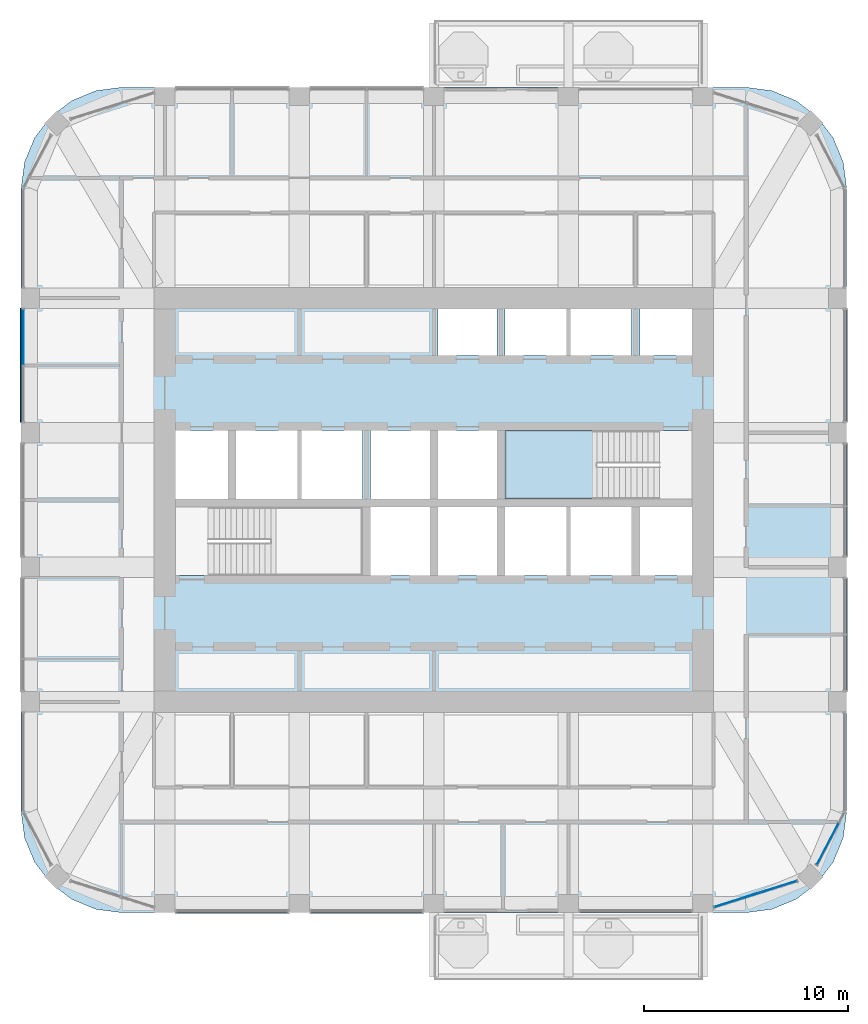
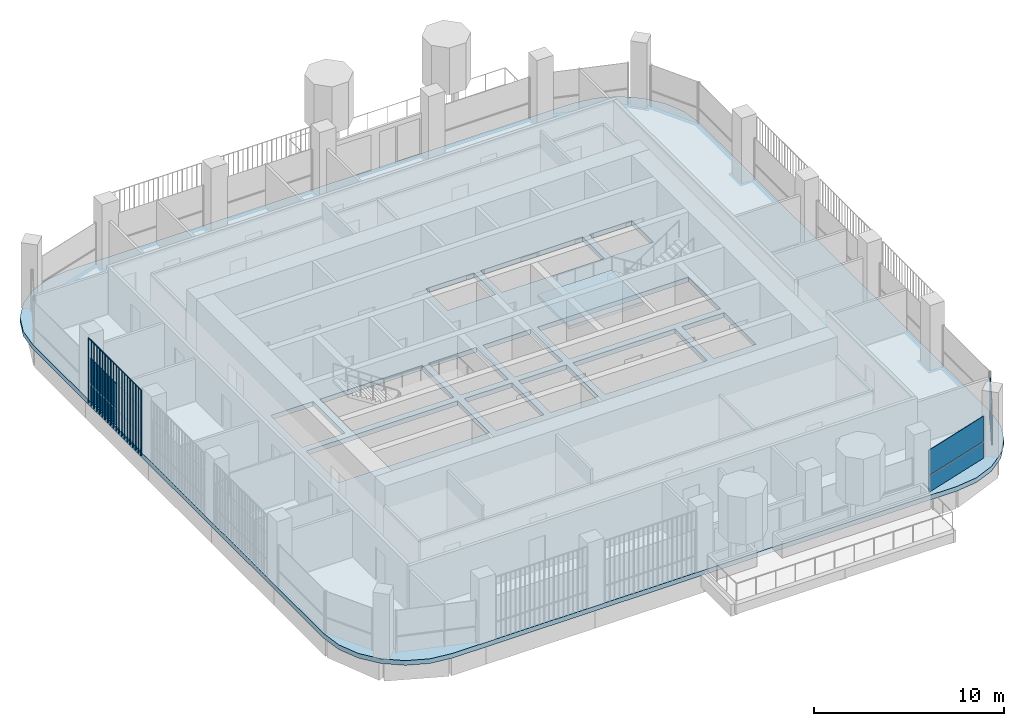
# One storey, part 10 of 21: 7 plates, 2 slabs, 4 elements without a shape of their own.
"""IFC4 building model written with IfcOpenShell, lengths in metres."""

from ifc_helpers import new_model, si_unit, direction, frame, origin, origin_2d, place, context, subcontext, project, spatial, polyline, rectangle, outline, extrude, material, layer, layer_set, type_object, element, aggregate, save


model = new_model("IFC4")

# Units and contexts
model_context = context("Model", 3, precision=1e-05, world=origin(), true_north=direction((0.0, 1.0)))
body_context = subcontext(model_context, "Body", "Model", "MODEL_VIEW")
ifc_project = project(units=[si_unit("LENGTHUNIT", "METRE"), si_unit("AREAUNIT", "SQUARE_METRE"), si_unit("VOLUMEUNIT", "CUBIC_METRE"), si_unit("PLANEANGLEUNIT", "RADIAN"), si_unit("MASSUNIT", "GRAM", prefix="KILO")], contexts=[model_context])

# Site, building, storey
site_placement = place(None, origin())
site = spatial("IfcSite", under=ifc_project, at=site_placement, CompositionType="ELEMENT")
building_placement = place(site_placement, origin())
building = spatial("IfcBuilding", under=site, at=building_placement, Name="Cobogo Forest Laboratory Tower", CompositionType="ELEMENT")
storey_placement = place(building_placement, frame((0.0, 0.0, 267.0)))
storey = spatial("IfcBuildingStorey", under=building, at=storey_placement, Name="L61", CompositionType="ELEMENT", Elevation=267.0)

# Slab
ifc_material_1 = material(Name="Concrete HA-40 (C40/50)", Category="concrete")
ifc_layer_1 = layer(ifc_material_1, 0.300048828125)
ifc_layer_set_1 = layer_set([ifc_layer_1], Name="Floor slab 300")
slab_type_1 = type_object("IfcSlabType", Name="Floor slab 300", PredefinedType="FLOOR", material=ifc_layer_set_1)
slab_1_placement = place(storey_placement, frame((0.0, 0.0, -0.300048828125)))
element("IfcSlab", 1, at=slab_1_placement, inside=storey, type_object=slab_type_1, Name="L61 floor slab", PredefinedType="FLOOR", context=body_context, shape_type="SweptSolid", body=[
    extrude(outline(polyline([(41.699951171875, 2.85009765625), (42.981201171875, 3.0185546875), (44.175048828125, 3.51318359375), (45.2001953125, 4.2998046875), (45.98681640625, 5.324951171875), (46.4814453125, 6.518798828125), (46.64990234375, 7.800048828125), (46.64990234375, 38.39990234375), (46.4814453125, 39.68115234375), (45.98681640625, 40.875), (45.2001953125, 41.900146484375), (44.175048828125, 42.686767578125), (42.981201171875, 43.181396484375), (41.699951171875, 43.35009765625), (11.10009765625, 43.35009765625), (9.81884765625, 43.181396484375), (8.625, 42.686767578125), (7.599853515625, 41.900146484375), (6.813232421875, 40.875), (6.318603515625, 39.68115234375), (6.14990234375, 38.39990234375), (6.14990234375, 7.800048828125), (6.318603515625, 6.518798828125), (6.813232421875, 5.324951171875), (7.599853515625, 4.2998046875), (8.625, 3.51318359375), (9.81884765625, 3.0185546875), (11.10009765625, 2.85009765625), (41.699951171875, 2.85009765625)]), holes=[polyline([(22.89990234375, 19.39990234375), (13.72509765625, 19.39990234375), (13.72509765625, 22.75), (22.89990234375, 22.75), (22.89990234375, 19.39990234375)]), polyline([(26.199951171875, 19.39990234375), (23.300048828125, 19.39990234375), (23.300048828125, 22.75), (26.199951171875, 22.75), (26.199951171875, 19.39990234375)]), polyline([(29.5, 19.39990234375), (26.60009765625, 19.39990234375), (26.60009765625, 22.75), (29.5, 22.75), (29.5, 19.39990234375)]), polyline([(36.10009765625, 22.75), (36.10009765625, 19.39990234375), (29.89990234375, 19.39990234375), (29.89990234375, 22.75), (36.10009765625, 22.75)]), polyline([(39.074951171875, 19.39990234375), (36.5, 19.39990234375), (36.5, 22.75), (39.074951171875, 22.75), (39.074951171875, 19.39990234375)]), polyline([(16.300048828125, 23.14990234375), (13.72509765625, 23.14990234375), (13.72509765625, 26.5), (16.300048828125, 26.5), (16.300048828125, 23.14990234375)]), polyline([(22.89990234375, 26.5), (22.89990234375, 23.14990234375), (16.699951171875, 23.14990234375), (16.699951171875, 26.5), (22.89990234375, 26.5)]), polyline([(26.199951171875, 23.14990234375), (23.300048828125, 23.14990234375), (23.300048828125, 26.5), (26.199951171875, 26.5), (26.199951171875, 23.14990234375)]), polyline([(29.5, 23.14990234375), (26.60009765625, 23.14990234375), (26.60009765625, 26.5), (29.5, 26.5), (29.5, 23.14990234375)]), polyline([(39.074951171875, 23.14990234375), (29.89990234375, 23.14990234375), (29.89990234375, 26.5), (39.074951171875, 26.5), (39.074951171875, 23.14990234375)]), polyline([(29.5, 30.199951171875), (26.60009765625, 30.199951171875), (26.60009765625, 32.47509765625), (29.5, 32.47509765625), (29.5, 30.199951171875)]), polyline([(36.10009765625, 32.47509765625), (36.10009765625, 30.199951171875), (29.89990234375, 30.199951171875), (29.89990234375, 32.47509765625), (36.10009765625, 32.47509765625)]), polyline([(39.074951171875, 30.199951171875), (36.5, 30.199951171875), (36.5, 32.47509765625), (39.074951171875, 32.47509765625), (39.074951171875, 30.199951171875)])]), origin(), (0.0, 0.0, 1.0), 0.300048828125),
])

# Curtain wall, plates
ifc_material_2 = material(Name="Aluminium curtain wall", Category="aluminium")
curtain_wall_type = type_object("IfcCurtainWallType", Name="CW-2 unitised curtain wall, solar control glazing, laboratory floors zones C and D", PredefinedType="USERDEFINED", material=ifc_material_2)
curtain_wall_1_placement = place(storey_placement, origin())
curtain_wall_1 = element("IfcCurtainWall", 2, at=curtain_wall_1_placement, inside=storey, type_object=curtain_wall_type, Name="Curtain wall 05 L61", ObjectType="UNITISED CURTAIN WALL", PredefinedType="USERDEFINED")
ifc_material_3 = material(Name="Solar control insulated glass", Category="glass")
ifc_layer_2 = layer(ifc_material_3, 0.031982421875)
ifc_layer_set_2 = layer_set([ifc_layer_2], Name="GP-2 solar control glass unit 32")
plate_type_1 = type_object("IfcPlateType", Name="GP-2 solar control glass unit 32", PredefinedType="CURTAIN_PANEL", material=ifc_layer_set_2)
plate_1_placement = place(storey_placement, frame((42.17919921875, 3.7646484375, 0.0), z_axis=(0.0, 0.0, 1.0), x_axis=(0.953581379409, 0.301135439371, 0.0)))
plate_1 = element("IfcPlate", 3, at=plate_1_placement, type_object=plate_type_1, Name="CW-2 panel 1.1", PredefinedType="CURTAIN_PANEL", context=body_context, shape_type="SweptSolid", body=[
    extrude(rectangle(XDim=4.240966796875, YDim=0.031982421875, at=origin_2d()), origin(), (0.0, 0.0, 1.0), 1.02001953125),
])
plate_2_placement = place(storey_placement, frame((42.17919921875, 3.7646484375, 1.079833984375), z_axis=(0.0, 0.0, 1.0), x_axis=(0.953581379409, 0.301135439371, 0.0)))
plate_2 = element("IfcPlate", 4, at=plate_2_placement, type_object=plate_type_1, Name="CW-2 panel 1.2", PredefinedType="CURTAIN_PANEL", context=body_context, shape_type="SweptSolid", body=[
    extrude(rectangle(XDim=4.240966796875, YDim=0.031982421875, at=origin_2d()), origin(), (0.0, 0.0, 1.0), 1.6201171875),
])
aggregate(curtain_wall_1, [plate_1, plate_2])

curtain_wall_2_placement = place(storey_placement, origin())
curtain_wall_2 = element("IfcCurtainWall", 5, at=curtain_wall_2_placement, inside=storey, type_object=curtain_wall_type, Name="Curtain wall 06 L61", ObjectType="UNITISED CURTAIN WALL", PredefinedType="USERDEFINED")
plate_3_placement = place(storey_placement, frame((45.72314453125, 6.222900390625, 0.0), z_axis=(0.0, 0.0, 1.0), x_axis=(0.464283778337, 0.885686498245, 0.0)))
plate_3 = element("IfcPlate", 6, at=plate_3_placement, type_object=plate_type_1, Name="CW-2 panel 1.1", PredefinedType="CURTAIN_PANEL", context=body_context, shape_type="SweptSolid", body=[
    extrude(rectangle(XDim=2.28857421875, YDim=0.031982421875, at=origin_2d()), origin(), (0.0, 0.0, 1.0), 1.02001953125),
])
plate_4_placement = place(storey_placement, frame((45.72314453125, 6.222900390625, 1.079833984375), z_axis=(0.0, 0.0, 1.0), x_axis=(0.464283778337, 0.885686498245, 0.0)))
plate_4 = element("IfcPlate", 7, at=plate_4_placement, type_object=plate_type_1, Name="CW-2 panel 1.2", PredefinedType="CURTAIN_PANEL", context=body_context, shape_type="SweptSolid", body=[
    extrude(rectangle(XDim=2.28857421875, YDim=0.031982421875, at=origin_2d()), origin(), (0.0, 0.0, 1.0), 1.6201171875),
])
aggregate(curtain_wall_2, [plate_3, plate_4])

curtain_wall_3_placement = place(storey_placement, origin())
curtain_wall_3 = element("IfcCurtainWall", 8, at=curtain_wall_3_placement, inside=storey, type_object=curtain_wall_type, Name="Curtain wall 21 L61", ObjectType="UNITISED CURTAIN WALL", PredefinedType="USERDEFINED")
plate_5_placement = place(storey_placement, frame((6.25, 31.0849609375, 0.0), z_axis=(0.0, 0.0, 1.0), x_axis=(0.0, -1.0, 0.0)))
plate_5 = element("IfcPlate", 9, at=plate_5_placement, type_object=plate_type_1, Name="CW-2 panel 1.1", PredefinedType="CURTAIN_PANEL", context=body_context, shape_type="SweptSolid", body=[
    extrude(rectangle(XDim=2.7099609375, YDim=0.031982421875, at=origin_2d()), origin(), (0.0, 0.0, 1.0), 1.02001953125),
])
plate_6_placement = place(storey_placement, frame((6.25, 31.0849609375, 1.079833984375), z_axis=(0.0, 0.0, 1.0), x_axis=(0.0, -1.0, 0.0)))
plate_6 = element("IfcPlate", 10, at=plate_6_placement, type_object=plate_type_1, Name="CW-2 panel 1.2", PredefinedType="CURTAIN_PANEL", context=body_context, shape_type="SweptSolid", body=[
    extrude(rectangle(XDim=2.7099609375, YDim=0.031982421875, at=origin_2d()), origin(), (0.0, 0.0, 1.0), 1.6201171875),
])
aggregate(curtain_wall_3, [plate_5, plate_6])

# Stair, slab
ifc_material_4 = material(Name="Precast concrete HA-40 (C40/50)", Category="concrete")
stair_type = type_object("IfcStairType", Name="ST24 exit stair 24 risers", PredefinedType="HALF_TURN_STAIR", material=ifc_material_4)
stair_placement = place(storey_placement, origin())
stair = element("IfcStair", 11, at=stair_placement, inside=storey, type_object=stair_type, Name="Stair 2 L61 to L62", PredefinedType="HALF_TURN_STAIR")
ifc_layer_3 = layer(ifc_material_1, 0.199951171875)
ifc_layer_set_3 = layer_set([ifc_layer_3], Name="SL stair landing 200")
slab_type_2 = type_object("IfcSlabType", Name="SL stair landing 200", PredefinedType="LANDING", material=ifc_layer_set_3)
slab_2_placement = place(storey_placement, frame((0.0, 0.0, 1.89990234375)))
slab_2 = element("IfcSlab", 12, at=slab_2_placement, type_object=slab_type_2, Name="ST2 landing 2", PredefinedType="LANDING", context=body_context, shape_type="SweptSolid", body=[
    extrude(outline(polyline([(29.89990234375, 23.14990234375), (34.39697265625, 23.14990234375), (34.39697265625, 26.5), (29.89990234375, 26.5), (29.89990234375, 23.14990234375)])), origin(), (0.0, 0.0, 1.0), 0.2001953125),
])
aggregate(stair, [slab_2])

# Plate
ifc_material_5 = material(Name="Terracotta", Category="masonry")
plate_type_2 = type_object("IfcPlateType", Name="TB1 terracotta baguette screen", PredefinedType="USERDEFINED", material=ifc_material_5)
plate_7_placement = place(storey_placement, frame((6.1220703125, 26.93115234375, -0.14990234375)))
element("IfcPlate", 13, at=plate_7_placement, inside=storey, type_object=plate_type_2, Name="Baguette screen W3 L61", ObjectType="BAGUETTE SCREEN", PredefinedType="USERDEFINED", context=body_context, shape_type="SweptSolid", body=[
    extrude(outline(polyline([(0.02880859375, 0.011962890625), (0.011962890625, 0.02880859375), (-0.011962890625, 0.02880859375), (-0.02880859375, 0.011962890625), (-0.02880859375, -0.011962890625), (-0.011962890625, -0.02880859375), (0.011962890625, -0.02880859375), (0.02880859375, -0.011962890625), (0.02880859375, 0.011962890625)])), frame((0.0, 0.0, 4.168701171875), z_axis=(0.0, 1.0, 0.0), x_axis=(-1.0, 0.0, 0.0)), (0.0, 0.0, 1.0), 5.53759765625),
    extrude(outline(polyline([(0.02880859375, 0.011962890625), (0.011962890625, 0.02880859375), (-0.011962890625, 0.02880859375), (-0.02880859375, 0.011962890625), (-0.02880859375, -0.011962890625), (-0.011962890625, -0.02880859375), (0.011962890625, -0.02880859375), (0.02880859375, -0.011962890625), (0.02880859375, 0.011962890625)])), origin(), (0.0, 0.0, 1.0), 4.137451171875),
    extrude(outline(polyline([(0.02880859375, 0.011962890625), (0.011962890625, 0.02880859375), (-0.011962890625, 0.02880859375), (-0.02880859375, 0.011962890625), (-0.02880859375, -0.011962890625), (-0.011962890625, -0.02880859375), (0.011962890625, -0.02880859375), (0.02880859375, -0.011962890625), (0.02880859375, 0.011962890625)])), frame((0.0, 0.29150390625, 0.0)), (0.0, 0.0, 1.0), 4.137451171875),
    extrude(outline(polyline([(0.02880859375, 0.011962890625), (0.011962890625, 0.02880859375), (-0.011962890625, 0.02880859375), (-0.02880859375, 0.011962890625), (-0.02880859375, -0.011962890625), (-0.011962890625, -0.02880859375), (0.011962890625, -0.02880859375), (0.02880859375, -0.011962890625), (0.02880859375, 0.011962890625)])), frame((0.0, 0.5830078125, 0.0)), (0.0, 0.0, 1.0), 4.137451171875),
    extrude(outline(polyline([(0.02880859375, 0.011962890625), (0.011962890625, 0.02880859375), (-0.011962890625, 0.02880859375), (-0.02880859375, 0.011962890625), (-0.02880859375, -0.011962890625), (-0.011962890625, -0.02880859375), (0.011962890625, -0.02880859375), (0.02880859375, -0.011962890625), (0.02880859375, 0.011962890625)])), frame((0.0, 0.874267578125, 0.0)), (0.0, 0.0, 1.0), 4.137451171875),
    extrude(outline(polyline([(0.02880859375, 0.011962890625), (0.011962890625, 0.02880859375), (-0.011962890625, 0.02880859375), (-0.02880859375, 0.011962890625), (-0.02880859375, -0.011962890625), (-0.011962890625, -0.02880859375), (0.011962890625, -0.02880859375), (0.02880859375, -0.011962890625), (0.02880859375, 0.011962890625)])), frame((0.0, 1.165771484375, 0.0)), (0.0, 0.0, 1.0), 4.137451171875),
    extrude(outline(polyline([(0.02880859375, 0.011962890625), (0.011962890625, 0.02880859375), (-0.011962890625, 0.02880859375), (-0.02880859375, 0.011962890625), (-0.02880859375, -0.011962890625), (-0.011962890625, -0.02880859375), (0.011962890625, -0.02880859375), (0.02880859375, -0.011962890625), (0.02880859375, 0.011962890625)])), frame((0.0, 1.457275390625, 0.0)), (0.0, 0.0, 1.0), 4.137451171875),
    extrude(outline(polyline([(0.02880859375, 0.011962890625), (0.011962890625, 0.02880859375), (-0.011962890625, 0.02880859375), (-0.02880859375, 0.011962890625), (-0.02880859375, -0.011962890625), (-0.011962890625, -0.02880859375), (0.011962890625, -0.02880859375), (0.02880859375, -0.011962890625), (0.02880859375, 0.011962890625)])), frame((0.0, 1.748779296875, 0.0)), (0.0, 0.0, 1.0), 4.137451171875),
    extrude(outline(polyline([(0.02880859375, 0.011962890625), (0.011962890625, 0.02880859375), (-0.011962890625, 0.02880859375), (-0.02880859375, 0.011962890625), (-0.02880859375, -0.011962890625), (-0.011962890625, -0.02880859375), (0.011962890625, -0.02880859375), (0.02880859375, -0.011962890625), (0.02880859375, 0.011962890625)])), frame((0.0, 2.040283203125, 0.0)), (0.0, 0.0, 1.0), 4.137451171875),
    extrude(outline(polyline([(0.02880859375, 0.011962890625), (0.011962890625, 0.02880859375), (-0.011962890625, 0.02880859375), (-0.02880859375, 0.011962890625), (-0.02880859375, -0.011962890625), (-0.011962890625, -0.02880859375), (0.011962890625, -0.02880859375), (0.02880859375, -0.011962890625), (0.02880859375, 0.011962890625)])), frame((0.0, 2.33154296875, 0.0)), (0.0, 0.0, 1.0), 4.137451171875),
    extrude(outline(polyline([(0.02880859375, 0.011962890625), (0.011962890625, 0.02880859375), (-0.011962890625, 0.02880859375), (-0.02880859375, 0.011962890625), (-0.02880859375, -0.011962890625), (-0.011962890625, -0.02880859375), (0.011962890625, -0.02880859375), (0.02880859375, -0.011962890625), (0.02880859375, 0.011962890625)])), frame((0.0, 2.623046875, 0.0)), (0.0, 0.0, 1.0), 4.137451171875),
    extrude(outline(polyline([(0.02880859375, 0.011962890625), (0.011962890625, 0.02880859375), (-0.011962890625, 0.02880859375), (-0.02880859375, 0.011962890625), (-0.02880859375, -0.011962890625), (-0.011962890625, -0.02880859375), (0.011962890625, -0.02880859375), (0.02880859375, -0.011962890625), (0.02880859375, 0.011962890625)])), frame((0.0, 2.91455078125, 0.0)), (0.0, 0.0, 1.0), 4.137451171875),
    extrude(outline(polyline([(0.02880859375, 0.011962890625), (0.011962890625, 0.02880859375), (-0.011962890625, 0.02880859375), (-0.02880859375, 0.011962890625), (-0.02880859375, -0.011962890625), (-0.011962890625, -0.02880859375), (0.011962890625, -0.02880859375), (0.02880859375, -0.011962890625), (0.02880859375, 0.011962890625)])), frame((0.0, 3.2060546875, 0.0)), (0.0, 0.0, 1.0), 4.137451171875),
    extrude(outline(polyline([(0.02880859375, 0.011962890625), (0.011962890625, 0.02880859375), (-0.011962890625, 0.02880859375), (-0.02880859375, 0.011962890625), (-0.02880859375, -0.011962890625), (-0.011962890625, -0.02880859375), (0.011962890625, -0.02880859375), (0.02880859375, -0.011962890625), (0.02880859375, 0.011962890625)])), frame((0.0, 3.497314453125, 0.0)), (0.0, 0.0, 1.0), 4.137451171875),
    extrude(outline(polyline([(0.02880859375, 0.011962890625), (0.011962890625, 0.02880859375), (-0.011962890625, 0.02880859375), (-0.02880859375, 0.011962890625), (-0.02880859375, -0.011962890625), (-0.011962890625, -0.02880859375), (0.011962890625, -0.02880859375), (0.02880859375, -0.011962890625), (0.02880859375, 0.011962890625)])), frame((0.0, 3.788818359375, 0.0)), (0.0, 0.0, 1.0), 4.137451171875),
    extrude(outline(polyline([(0.02880859375, 0.011962890625), (0.011962890625, 0.02880859375), (-0.011962890625, 0.02880859375), (-0.02880859375, 0.011962890625), (-0.02880859375, -0.011962890625), (-0.011962890625, -0.02880859375), (0.011962890625, -0.02880859375), (0.02880859375, -0.011962890625), (0.02880859375, 0.011962890625)])), frame((0.0, 4.080322265625, 0.0)), (0.0, 0.0, 1.0), 4.137451171875),
    extrude(outline(polyline([(0.02880859375, 0.011962890625), (0.011962890625, 0.02880859375), (-0.011962890625, 0.02880859375), (-0.02880859375, 0.011962890625), (-0.02880859375, -0.011962890625), (-0.011962890625, -0.02880859375), (0.011962890625, -0.02880859375), (0.02880859375, -0.011962890625), (0.02880859375, 0.011962890625)])), frame((0.0, 4.371826171875, 0.0)), (0.0, 0.0, 1.0), 4.137451171875),
    extrude(outline(polyline([(0.02880859375, 0.011962890625), (0.011962890625, 0.02880859375), (-0.011962890625, 0.02880859375), (-0.02880859375, 0.011962890625), (-0.02880859375, -0.011962890625), (-0.011962890625, -0.02880859375), (0.011962890625, -0.02880859375), (0.02880859375, -0.011962890625), (0.02880859375, 0.011962890625)])), frame((0.0, 4.663330078125, 0.0)), (0.0, 0.0, 1.0), 4.137451171875),
    extrude(outline(polyline([(0.02880859375, 0.011962890625), (0.011962890625, 0.02880859375), (-0.011962890625, 0.02880859375), (-0.02880859375, 0.011962890625), (-0.02880859375, -0.011962890625), (-0.011962890625, -0.02880859375), (0.011962890625, -0.02880859375), (0.02880859375, -0.011962890625), (0.02880859375, 0.011962890625)])), frame((0.0, 4.95458984375, 0.0)), (0.0, 0.0, 1.0), 4.137451171875),
    extrude(outline(polyline([(0.02880859375, 0.011962890625), (0.011962890625, 0.02880859375), (-0.011962890625, 0.02880859375), (-0.02880859375, 0.011962890625), (-0.02880859375, -0.011962890625), (-0.011962890625, -0.02880859375), (0.011962890625, -0.02880859375), (0.02880859375, -0.011962890625), (0.02880859375, 0.011962890625)])), frame((0.0, 5.24609375, 0.0)), (0.0, 0.0, 1.0), 4.137451171875),
    extrude(outline(polyline([(0.02880859375, 0.011962890625), (0.011962890625, 0.02880859375), (-0.011962890625, 0.02880859375), (-0.02880859375, 0.011962890625), (-0.02880859375, -0.011962890625), (-0.011962890625, -0.02880859375), (0.011962890625, -0.02880859375), (0.02880859375, -0.011962890625), (0.02880859375, 0.011962890625)])), frame((0.0, 5.53759765625, 0.0)), (0.0, 0.0, 1.0), 4.137451171875),
])

save(model, "model.ifc")
